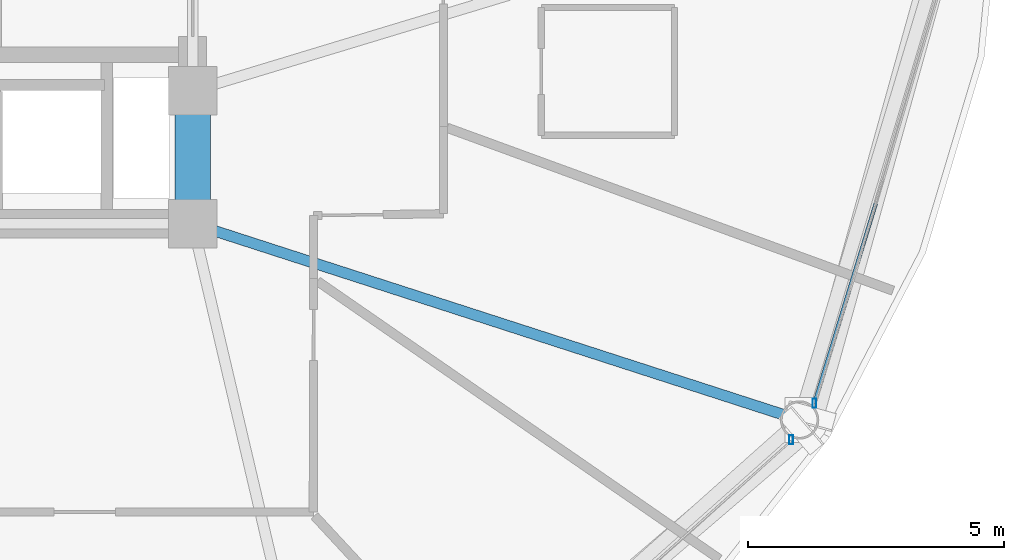
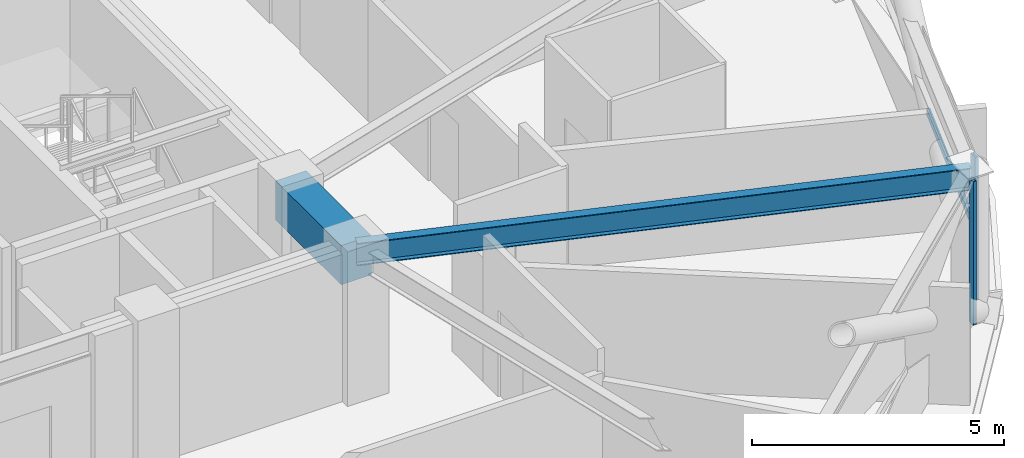
# One storey, part 10 of 29: 3 members, 2 beams, 2 elements without a shape of their own.
"""IFC4 building model written with IfcOpenShell, lengths in metres."""

from ifc_helpers import new_model, si_unit, direction, frame, origin, origin_2d, place, context, subcontext, project, spatial, rectangle, hollow_rectangle, i_section, extrude, material, layer, layer_set, material_profile, profile_set, type_object, element, aggregate, save


model = new_model("IFC4")

# Units and contexts
model_context = context("Model", 3, precision=1e-05, world=origin(), true_north=direction((0.0, 1.0)))
body_context = subcontext(model_context, "Body", "Model", "MODEL_VIEW")
ifc_project = project(units=[si_unit("LENGTHUNIT", "METRE"), si_unit("AREAUNIT", "SQUARE_METRE"), si_unit("VOLUMEUNIT", "CUBIC_METRE"), si_unit("PLANEANGLEUNIT", "RADIAN"), si_unit("MASSUNIT", "GRAM", prefix="KILO")], contexts=[model_context])

# Site, building, storey
site_placement = place(None, origin())
site = spatial("IfcSite", under=ifc_project, at=site_placement, CompositionType="ELEMENT")
building_placement = place(site_placement, origin())
building = spatial("IfcBuilding", under=site, at=building_placement, Name="Vantalir Tower", CompositionType="ELEMENT")
storey_placement = place(building_placement, frame((0.0, 0.0, 157.199951171875)))
storey = spatial("IfcBuildingStorey", under=building, at=storey_placement, Name="L39", CompositionType="ELEMENT", Elevation=157.199951171875)

# Beams
ifc_material_1 = material(Name="Concrete C60/75", Category="concrete")
ifc_material_profile_1 = material_profile(ifc_material_1, rectangle(XDim=0.699951171875, YDim=0.949951171875, at=origin_2d()), Name="Concrete C60/75")
ifc_profile_set_1 = profile_set([ifc_material_profile_1], Name="Concrete C60/75")
beam_type_1 = type_object("IfcBeamType", Name="BM-CB-700x950", PredefinedType="USERDEFINED", material=ifc_profile_set_1)
beam_1_placement = place(storey_placement, frame((41.10009765625, 17.800048828125, 3.094970703125), z_axis=(0.0, 1.0, 0.0), x_axis=(-1.0, 0.0, 0.0)))
element("IfcBeam", 1, at=beam_1_placement, inside=storey, type_object=beam_type_1, Name="L39 Core Coupling Girder 05", ObjectType="GIRDER", PredefinedType="USERDEFINED", context=body_context, shape_type="SweptSolid", body=[
    extrude(rectangle(XDim=0.699951171875, YDim=0.949951171875, at=origin_2d()), origin(), (0.0, 0.0, 1.0), 2.599853515625),
])
ifc_material_2 = material(Name="Steel S355", Category="steel")
ifc_material_profile_2 = material_profile(ifc_material_2, i_section(OverallWidth=0.2109375, OverallDepth=0.5390625, WebThickness=0.01171875, FlangeThickness=0.018798828125, at=origin_2d()), Name="Steel S355")
ifc_profile_set_2 = profile_set([ifc_material_profile_2], Name="Steel S355")
beam_type_2 = type_object("IfcBeamType", Name="BM-RB-533x210", PredefinedType="BEAM", material=ifc_profile_set_2)
beam_2_placement = place(storey_placement, frame((52.962890625, 13.965087890625, 3.301025390625), z_axis=(-0.95151500296, 0.307602339298, 0.0), x_axis=(-0.307602339298, -0.95151500296, 0.0)))
element("IfcBeam", 2, at=beam_2_placement, inside=storey, type_object=beam_type_2, Name="L39 Radial Floor Beam 12", PredefinedType="BEAM", context=body_context, shape_type="SweptSolid", body=[
    extrude(i_section(OverallWidth=0.2109375, OverallDepth=0.5390625, WebThickness=0.01171875, FlangeThickness=0.018798828125, at=origin_2d()), origin(), (0.0, 0.0, 1.0), 12.46728515625),
])

# Curtain wall, member
ifc_material_3 = material(Name="Champagne-silver PVDF aluminium and double-silver Low-E glass", Category="aluminium")
ifc_layer = layer(ifc_material_3, 0.199951171875)
ifc_layer_set = layer_set([ifc_layer], Name="Champagne-silver PVDF aluminium and double-silver Low-E glass")
curtain_wall_type = type_object("IfcCurtainWallType", Name="CW-DIAMOND-Z2", PredefinedType="USERDEFINED", material=ifc_layer_set)
curtain_wall_1_placement = place(storey_placement, origin())
curtain_wall_1 = element("IfcCurtainWall", 3, at=curtain_wall_1_placement, inside=storey, type_object=curtain_wall_type, Name="L39 Quilted Pyramid-Diamond Curtain Wall S11", ObjectType="UNITISED CURTAIN WALL", PredefinedType="USERDEFINED")
ifc_material_4 = material(Name="Champagne-silver PVDF aluminium 6063-T6", Category="aluminium")
ifc_material_profile_3 = material_profile(ifc_material_4, hollow_rectangle(XDim=0.074951171875, YDim=0.179931640625, WallThickness=0.00390625, at=origin_2d()), Name="Champagne-silver PVDF aluminium 6063-T6")
ifc_profile_set_3 = profile_set([ifc_material_profile_3], Name="Champagne-silver PVDF aluminium 6063-T6")
member_type_1 = type_object("IfcMemberType", Name="CWM-180x75", PredefinedType="MULLION", material=ifc_profile_set_3)
member_1_placement = place(storey_placement, frame((52.799072265625, 13.576904296875, 0.045166015625), z_axis=(0.0, 0.0, 1.0), x_axis=(1.0, 0.0, 0.0)))
member_1 = element("IfcMember", 4, at=member_1_placement, type_object=member_type_1, Name="CW-L39-S11 Mullion 2", PredefinedType="MULLION", context=body_context, shape_type="SweptSolid", body=[
    extrude(hollow_rectangle(XDim=0.074951171875, YDim=0.179931640625, WallThickness=0.00390625, at=origin_2d()), origin(), (0.0, 0.0, 1.0), 3.47998046875),
])
aggregate(curtain_wall_1, [member_1])

# Curtain wall, members
curtain_wall_2_placement = place(storey_placement, origin())
curtain_wall_2 = element("IfcCurtainWall", 5, at=curtain_wall_2_placement, inside=storey, type_object=curtain_wall_type, Name="L39 Quilted Pyramid-Diamond Curtain Wall S12", ObjectType="UNITISED CURTAIN WALL", PredefinedType="USERDEFINED")
member_2_placement = place(storey_placement, frame((53.25390625, 14.291015625, 0.045166015625), z_axis=(0.0, 0.0, 1.0), x_axis=(1.0, 0.0, 0.0)))
member_2 = element("IfcMember", 6, at=member_2_placement, type_object=member_type_1, Name="CW-L39-S12 Mullion 1", PredefinedType="MULLION", context=body_context, shape_type="SweptSolid", body=[
    extrude(hollow_rectangle(XDim=0.074951171875, YDim=0.179931640625, WallThickness=0.00390625, at=origin_2d()), origin(), (0.0, 0.0, 1.0), 3.47998046875),
])
ifc_material_profile_4 = material_profile(ifc_material_4, hollow_rectangle(XDim=0.074951171875, YDim=0.159912109375, WallThickness=0.00390625, at=origin_2d()), Name="Champagne-silver PVDF aluminium 6063-T6")
ifc_profile_set_4 = profile_set([ifc_material_profile_4], Name="Champagne-silver PVDF aluminium 6063-T6")
member_type_2 = type_object("IfcMemberType", Name="CWT-160x75", PredefinedType="USERDEFINED", material=ifc_profile_set_4)
member_3_placement = place(storey_placement, frame((53.25390625, 14.291015625, 1.78515625), z_axis=(0.2934260675, 0.955981769131, 0.0), x_axis=(-0.955981769131, 0.2934260675, 0.0)))
member_3 = element("IfcMember", 7, at=member_3_placement, type_object=member_type_2, Name="CW-L39-S12 Pyramid Fold Ridge Transom", ObjectType="TRANSOM", PredefinedType="USERDEFINED", context=body_context, shape_type="SweptSolid", body=[
    extrude(hollow_rectangle(XDim=0.074951171875, YDim=0.159912109375, WallThickness=0.00390625, at=origin_2d()), origin(), (0.0, 0.0, 1.0), 4.082763671875),
])
aggregate(curtain_wall_2, [member_2, member_3])

save(model, "model.ifc")
